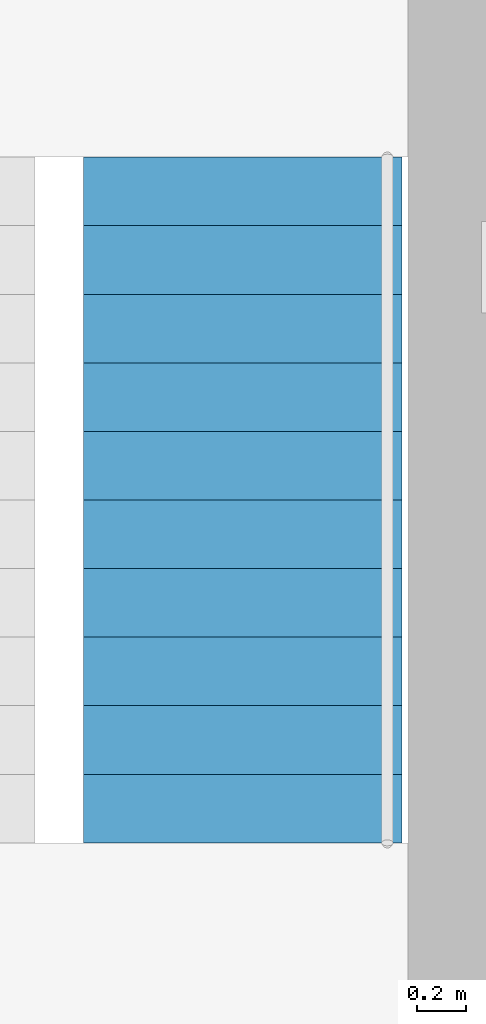
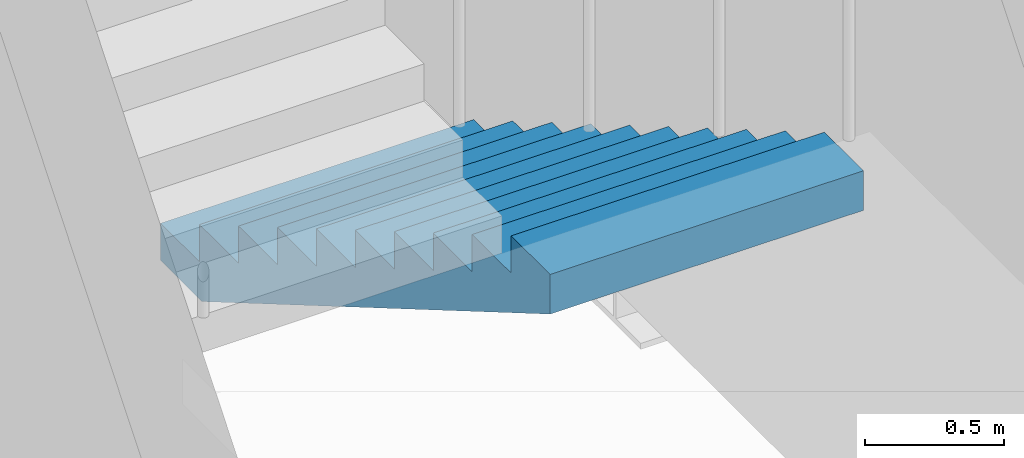
# One storey, part 9 of 12: 1 stair flight, 1 element without a shape of its own.
"""IFC4 building model written with IfcOpenShell, lengths in metres."""

from ifc_helpers import new_model, si_unit, direction, frame, origin, place, context, subcontext, project, spatial, polyline, outline, extrude, material, type_object, element, aggregate, save


model = new_model("IFC4")

# Units and contexts
model_context = context("Model", 3, precision=1e-05, world=origin(), true_north=direction((0.0, 1.0)))
body_context = subcontext(model_context, "Body", "Model", "MODEL_VIEW")
ifc_project = project(units=[si_unit("LENGTHUNIT", "METRE"), si_unit("AREAUNIT", "SQUARE_METRE"), si_unit("VOLUMEUNIT", "CUBIC_METRE"), si_unit("PLANEANGLEUNIT", "RADIAN"), si_unit("MASSUNIT", "GRAM", prefix="KILO")], contexts=[model_context])

# Site, building, storey
site_placement = place(None, origin())
site = spatial("IfcSite", under=ifc_project, at=site_placement, CompositionType="ELEMENT")
building_placement = place(site_placement, origin())
building = spatial("IfcBuilding", under=site, at=building_placement, Name="Loomwork Tower", CompositionType="ELEMENT")
storey_placement = place(building_placement, frame((0.0, 0.0, 255.39990234375)))
storey = spatial("IfcBuildingStorey", under=building, at=storey_placement, Name="L70", CompositionType="ELEMENT", Elevation=255.39990234375)

# Stair, stair flight
ifc_material_1 = material(Name="Concrete 5000 psi (34 MPa) precast stair", Category="concrete")
stair_type = type_object("IfcStairType", Name="Stair ST-B 22 risers 2850 wide", PredefinedType="HALF_TURN_STAIR", material=ifc_material_1)
stair_placement = place(storey_placement, origin())
stair = element("IfcStair", 1, at=stair_placement, inside=storey, type_object=stair_type, Name="Stair B L70", PredefinedType="HALF_TURN_STAIR")
ifc_material_2 = material(Name="Concrete 5000 psi (34 MPa) precast stair", Category="concrete")
stair_flight_type = type_object("IfcStairFlightType", Name="Stair flight ST-B 11 risers 1300 wide", PredefinedType="STRAIGHT", material=ifc_material_2)
stair_flight_placement = place(storey_placement, frame((32.925048828125, 18.449951171875, 0.0), z_axis=(0.0, 0.0, 1.0), x_axis=(0.0, -1.0, 0.0)))
stair_flight = element("IfcStairFlight", 2, at=stair_flight_placement, type_object=stair_flight_type, Name="ST-B flight 1", NumberOfRisers=11, NumberOfTreads=10, PredefinedType="STRAIGHT", RiserHeight=0.163636364, TreadLength=0.28, context=body_context, shape_type="SweptSolid", body=[
    extrude(outline(polyline([(0.0, 0.0), (0.0, 0.16357421875), (0.280029296875, 0.16357421875), (0.280029296875, 0.327392578125), (0.56005859375, 0.327392578125), (0.56005859375, 0.490966796875), (0.840087890625, 0.490966796875), (0.840087890625, 0.654541015625), (1.1201171875, 0.654541015625), (1.1201171875, 0.818115234375), (1.39990234375, 0.818115234375), (1.39990234375, 0.98193359375), (1.679931640625, 0.98193359375), (1.679931640625, 1.1455078125), (1.9599609375, 1.1455078125), (1.9599609375, 1.30908203125), (2.239990234375, 1.30908203125), (2.239990234375, 1.47265625), (2.52001953125, 1.47265625), (2.52001953125, 1.636474609375), (2.800048828125, 1.636474609375), (2.800048828125, 1.800048828125), (2.800048828125, 1.462646484375), (0.297119140625, 0.0), (0.0, 0.0)])), frame((0.0, 0.64990234375, 0.0), z_axis=(0.0, -1.0, 0.0), x_axis=(1.0, 0.0, 0.0)), (0.0, 0.0, 1.0), 1.300048828125),
])
aggregate(stair, [stair_flight])

save(model, "model.ifc")
